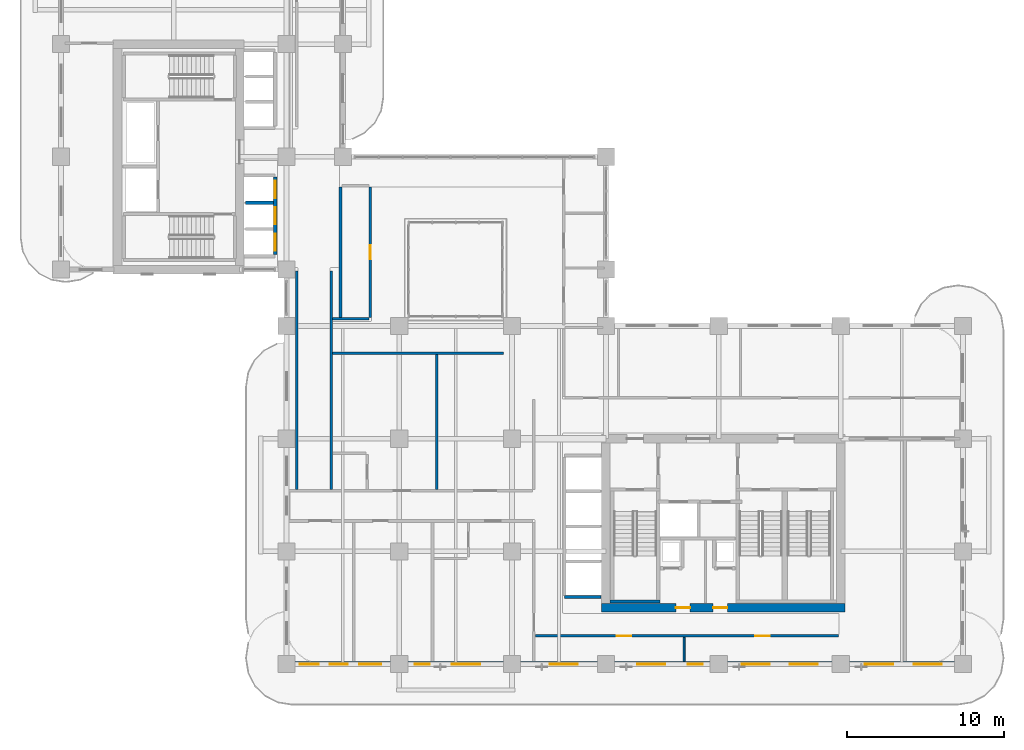
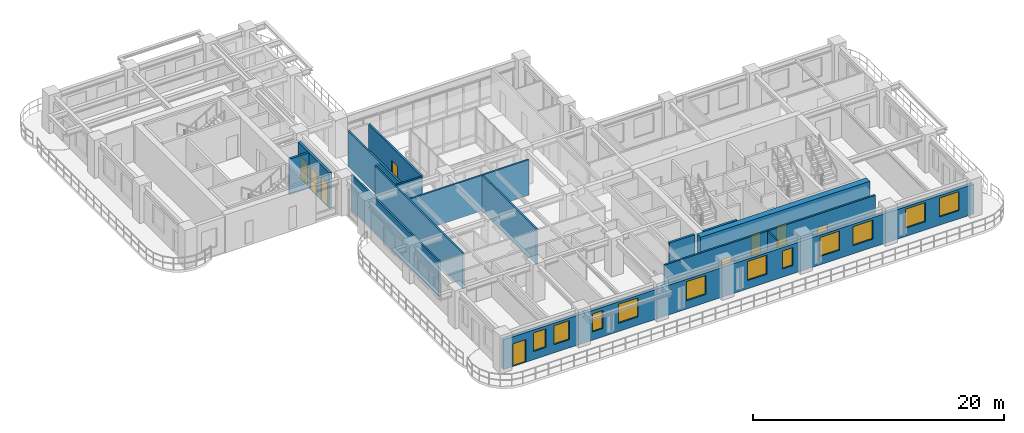
# One storey, part 13 of 22: 15 walls, 11 windows, 9 doors, 20 openings.
"""IFC4 building model written with IfcOpenShell, lengths in metres."""

from ifc_helpers import new_model, si_unit, derived_unit, direction, frame, frame_2d, origin, place, context, subcontext, project, spatial, rectangle, extrude, source, transform, mapped, material, layer, layer_set, type_object, type_shapes, element, fill, save


model = new_model("IFC4")

# Units and contexts
model_context = context("Model", 3, precision=1e-05, world=origin(), true_north=direction((0.0, 1.0)))
body_context = subcontext(model_context, "Body", "Model", "MODEL_VIEW")
ifc_project = project(units=[si_unit("LENGTHUNIT", "METRE"), si_unit("AREAUNIT", "SQUARE_METRE"), si_unit("VOLUMEUNIT", "CUBIC_METRE"), si_unit("PLANEANGLEUNIT", "RADIAN"), si_unit("MASSUNIT", "GRAM", prefix="KILO"), si_unit("THERMODYNAMICTEMPERATUREUNIT", "KELVIN"), si_unit("POWERUNIT", "WATT"), derived_unit("THERMALTRANSMITTANCEUNIT", [(si_unit("POWERUNIT", "WATT"), 1), (si_unit("AREAUNIT", "SQUARE_METRE"), -1), (si_unit("THERMODYNAMICTEMPERATUREUNIT", "KELVIN"), -1)])], contexts=[model_context])

# Site, building, storey
site_placement = place(None, origin())
site = spatial("IfcSite", under=ifc_project, at=site_placement, CompositionType="ELEMENT")
building_placement = place(site_placement, origin())
building = spatial("IfcBuilding", under=site, at=building_placement, Name="Zahravan Archway Hotel and Residences", CompositionType="ELEMENT")
storey_placement = place(building_placement, frame((0.0, 0.0, 99.0)))
storey = spatial("IfcBuildingStorey", under=building, at=storey_placement, Name="L24", CompositionType="ELEMENT", Elevation=99.0)

# Wall, openings, doors
ifc_material_1 = material(Name="Concrete C70/85", Category="concrete")
ifc_layer_1 = layer(ifc_material_1, 0.550048828125, Name="Concrete C70/85", Category="concrete")
ifc_layer_set_1 = layer_set([ifc_layer_1], Name="Concrete C70/85")
wall_type_1 = type_object("IfcWallType", Name="CW-CORE-550", PredefinedType="SHEAR", material=ifc_layer_set_1)
wall_1_placement = place(storey_placement, frame((34.52490234375, 3.60009765625, 0.0), z_axis=(0.0, 0.0, 1.0), x_axis=(1.0, 0.0, 0.0)))
wall_1 = element("IfcWall", 1, at=wall_1_placement, inside=storey, type_object=wall_type_1, Name="L24 Core A Shear S Wall 550 mm", PredefinedType="SHEAR", context=body_context, shape_type="SweptSolid", body=[
    extrude(rectangle(XDim=15.550048828125, YDim=0.550048828125, at=frame_2d((7.77490234375, 0.0))), origin(), (0.0, 0.0, 1.0), 3.699951171875),
])
opening_1_placement = place(wall_1_placement, frame((4.7451171875, 0.0, 0.0)))
opening_1 = element("IfcOpeningElement", 2, at=opening_1_placement, cuts=wall_1, Name="Opening FD-R1", PredefinedType="OPENING", context=body_context, shape_type="SweptSolid", body=[
    extrude(rectangle(XDim=0.89990234375, YDim=2.10009765625, at=frame_2d((0.449951171875, 1.050048828125))), frame((0.0, 0.28515625, 0.0), z_axis=(0.0, -1.0, 0.0), x_axis=(1.0, 0.0, 0.0)), (0.0, 0.0, 1.0), 0.570068359375),
])
opening_2_placement = place(wall_1_placement, frame((7.125, 0.0, 0.0)))
opening_2 = element("IfcOpeningElement", 3, at=opening_2_placement, cuts=wall_1, Name="Opening FD-R1", PredefinedType="OPENING", context=body_context, shape_type="SweptSolid", body=[
    extrude(rectangle(XDim=0.89990234375, YDim=2.10009765625, at=frame_2d((0.449951171875, 1.050048828125))), frame((0.0, 0.28515625, 0.0), z_axis=(0.0, -1.0, 0.0), x_axis=(1.0, 0.0, 0.0)), (0.0, 0.0, 1.0), 0.570068359375),
])
ifc_material_2 = material(Name="Fire-Rated Painted Steel", Category="steel")
door_type_1 = type_object("IfcDoorType", Name="FD-RISER-900", OperationType="NOTDEFINED", PredefinedType="DOOR", material=ifc_material_2)
shared_shape_1 = source(origin(), body_context, "Body", "SweptSolid", [
    extrude(rectangle(XDim=0.89990234375, YDim=2.10009765625, at=frame_2d((0.449951171875, 1.050048828125))), frame((0.0, 0.02490234375, 0.0), z_axis=(0.0, -1.0, 0.0), x_axis=(1.0, 0.0, 0.0)), (0.0, 0.0, 1.0), 0.050048828125),
])
type_shapes(door_type_1, [shared_shape_1])
door_1_placement = place(opening_1_placement, origin())
door_1 = element("IfcDoor", 4, at=door_1_placement, inside=storey, type_object=door_type_1, Name="L24 Fan Room Door", OperationType="SINGLE_SWING_RIGHT", OverallHeight=2.10009765625, OverallWidth=0.89990234375, PredefinedType="DOOR", context=body_context, shape_type="MappedRepresentation", body=[
    mapped(shared_shape_1, transform((0.0, 0.0, 0.0), scale=1.0)),
])
fill(opening_1, door_1)
door_2_placement = place(opening_2_placement, origin())
door_2 = element("IfcDoor", 5, at=door_2_placement, inside=storey, type_object=door_type_1, Name="L24 Sub-Meter Cupboard Door", OperationType="SINGLE_SWING_LEFT", OverallHeight=2.10009765625, OverallWidth=0.89990234375, PredefinedType="DOOR", context=body_context, shape_type="MappedRepresentation", body=[
    mapped(shared_shape_1, transform((0.0, 0.0, 0.0), scale=1.0)),
])
fill(opening_2, door_2)

# Wall, openings, door, windows
ifc_material_3 = material(Name="Agra Buff Sandstone & Insulated Backup", Category="masonry")
ifc_layer_2 = layer(ifc_material_3, 0.320068359375, Name="Agra Buff Sandstone & Insulated Backup", Category="masonry")
ifc_layer_set_2 = layer_set([ifc_layer_2], Name="Agra Buff Sandstone & Insulated Backup")
wall_type_2 = type_object("IfcWallType", Name="EW-SAND-320", PredefinedType="SOLIDWALL", material=ifc_layer_set_2)
wall_2_placement = place(storey_placement, frame((14.39990234375, 0.0, 0.0), z_axis=(0.0, 0.0, 1.0), x_axis=(1.0, 0.0, 0.0)))
wall_2 = element("IfcWall", 6, at=wall_2_placement, inside=storey, type_object=wall_type_2, Name="L24 Exterior Sandstone Wall WA-S", PredefinedType="SOLIDWALL", context=body_context, shape_type="SweptSolid", body=[
    extrude(rectangle(XDim=43.2001953125, YDim=0.320068359375, at=frame_2d((21.60009765625, 0.0))), origin(), (0.0, 0.0, 1.0), 2.885009765625),
])
opening_3_placement = place(wall_2_placement, frame((0.85009765625, 0.0, 0.0)))
opening_3 = element("IfcOpeningElement", 7, at=opening_3_placement, cuts=wall_2, Name="Opening ED-BL1", PredefinedType="OPENING", context=body_context, shape_type="SweptSolid", body=[
    extrude(rectangle(XDim=1.199951171875, YDim=2.199951171875, at=frame_2d((0.60009765625, 1.10009765625))), frame((0.0, 0.169921875, 0.0), z_axis=(0.0, -1.0, 0.0), x_axis=(1.0, 0.0, 0.0)), (0.0, 0.0, 1.0), 0.340087890625),
])
opening_4_placement = place(wall_2_placement, frame((2.74609375, 0.0, 0.800048828125)))
opening_4 = element("IfcOpeningElement", 8, at=opening_4_placement, cuts=wall_2, Name="Opening W-05", PredefinedType="OPENING", context=body_context, shape_type="SweptSolid", body=[
    extrude(rectangle(XDim=1.14990234375, YDim=1.800048828125, at=frame_2d((0.574951171875, 0.89990234375))), frame((0.0, 0.169921875, 0.0), z_axis=(0.0, -1.0, 0.0), x_axis=(1.0, 0.0, 0.0)), (0.0, 0.0, 1.0), 0.340087890625),
])
opening_5_placement = place(wall_2_placement, frame((4.654052734375, 0.0, 0.800048828125)))
opening_5 = element("IfcOpeningElement", 9, at=opening_5_placement, cuts=wall_2, Name="Opening W-03", PredefinedType="OPENING", context=body_context, shape_type="SweptSolid", body=[
    extrude(rectangle(XDim=1.39990234375, YDim=1.85009765625, at=frame_2d((0.699951171875, 0.925048828125))), frame((0.0, 0.169921875, 0.0), z_axis=(0.0, -1.0, 0.0), x_axis=(1.0, 0.0, 0.0)), (0.0, 0.0, 1.0), 0.340087890625),
])
opening_6_placement = place(wall_2_placement, frame((8.180908203125, 0.0, 0.800048828125)))
opening_6 = element("IfcOpeningElement", 10, at=opening_6_placement, cuts=wall_2, Name="Opening W-04", PredefinedType="OPENING", context=body_context, shape_type="SweptSolid", body=[
    extrude(rectangle(XDim=0.949951171875, YDim=1.75, at=frame_2d((0.47509765625, 0.875))), frame((0.0, 0.169921875, 0.0), z_axis=(0.0, -1.0, 0.0), x_axis=(1.0, 0.0, 0.0)), (0.0, 0.0, 1.0), 0.340087890625),
])
opening_7_placement = place(wall_2_placement, frame((10.56396484375, 0.0, 0.800048828125)))
opening_7 = element("IfcOpeningElement", 11, at=opening_7_placement, cuts=wall_2, Name="Opening W-02", PredefinedType="OPENING", context=body_context, shape_type="SweptSolid", body=[
    extrude(rectangle(XDim=1.800048828125, YDim=1.85009765625, at=frame_2d((0.89990234375, 0.925048828125))), frame((0.0, 0.169921875, 0.0), z_axis=(0.0, -1.0, 0.0), x_axis=(1.0, 0.0, 0.0)), (0.0, 0.0, 1.0), 0.340087890625),
])
opening_8_placement = place(wall_2_placement, frame((16.803955078125, 0.0, 0.800048828125)))
opening_8 = element("IfcOpeningElement", 12, at=opening_8_placement, cuts=wall_2, Name="Opening W-02", PredefinedType="OPENING", context=body_context, shape_type="SweptSolid", body=[
    extrude(rectangle(XDim=1.800048828125, YDim=1.85009765625, at=frame_2d((0.89990234375, 0.925048828125))), frame((0.0, 0.169921875, 0.0), z_axis=(0.0, -1.0, 0.0), x_axis=(1.0, 0.0, 0.0)), (0.0, 0.0, 1.0), 0.340087890625),
])
opening_9_placement = place(wall_2_placement, frame((22.39599609375, 0.0, 0.800048828125)))
opening_9 = element("IfcOpeningElement", 13, at=opening_9_placement, cuts=wall_2, Name="Opening W-02", PredefinedType="OPENING", context=body_context, shape_type="SweptSolid", body=[
    extrude(rectangle(XDim=1.800048828125, YDim=1.85009765625, at=frame_2d((0.89990234375, 0.925048828125))), frame((0.0, 0.169921875, 0.0), z_axis=(0.0, -1.0, 0.0), x_axis=(1.0, 0.0, 0.0)), (0.0, 0.0, 1.0), 0.340087890625),
])
opening_10_placement = place(wall_2_placement, frame((25.62890625, 0.0, 0.800048828125)))
opening_10 = element("IfcOpeningElement", 14, at=opening_10_placement, cuts=wall_2, Name="Opening W-04", PredefinedType="OPENING", context=body_context, shape_type="SweptSolid", body=[
    extrude(rectangle(XDim=0.949951171875, YDim=1.75, at=frame_2d((0.47509765625, 0.875))), frame((0.0, 0.169921875, 0.0), z_axis=(0.0, -1.0, 0.0), x_axis=(1.0, 0.0, 0.0)), (0.0, 0.0, 1.0), 0.340087890625),
])
opening_11_placement = place(wall_2_placement, frame((29.074951171875, 0.0, 0.800048828125)))
opening_11 = element("IfcOpeningElement", 15, at=opening_11_placement, cuts=wall_2, Name="Opening W-02", PredefinedType="OPENING", context=body_context, shape_type="SweptSolid", body=[
    extrude(rectangle(XDim=1.800048828125, YDim=1.85009765625, at=frame_2d((0.89990234375, 0.925048828125))), frame((0.0, 0.169921875, 0.0), z_axis=(0.0, -1.0, 0.0), x_axis=(1.0, 0.0, 0.0)), (0.0, 0.0, 1.0), 0.340087890625),
])
opening_12_placement = place(wall_2_placement, frame((32.125, 0.0, 0.800048828125)))
opening_12 = element("IfcOpeningElement", 16, at=opening_12_placement, cuts=wall_2, Name="Opening W-02", PredefinedType="OPENING", context=body_context, shape_type="SweptSolid", body=[
    extrude(rectangle(XDim=1.800048828125, YDim=1.85009765625, at=frame_2d((0.89990234375, 0.925048828125))), frame((0.0, 0.169921875, 0.0), z_axis=(0.0, -1.0, 0.0), x_axis=(1.0, 0.0, 0.0)), (0.0, 0.0, 1.0), 0.340087890625),
])
opening_13_placement = place(wall_2_placement, frame((36.946044921875, 0.0, 0.800048828125)))
opening_13 = element("IfcOpeningElement", 17, at=opening_13_placement, cuts=wall_2, Name="Opening W-02", PredefinedType="OPENING", context=body_context, shape_type="SweptSolid", body=[
    extrude(rectangle(XDim=1.800048828125, YDim=1.85009765625, at=frame_2d((0.89990234375, 0.925048828125))), frame((0.0, 0.169921875, 0.0), z_axis=(0.0, -1.0, 0.0), x_axis=(1.0, 0.0, 0.0)), (0.0, 0.0, 1.0), 0.340087890625),
])
opening_14_placement = place(wall_2_placement, frame((40.053955078125, 0.0, 0.800048828125)))
opening_14 = element("IfcOpeningElement", 18, at=opening_14_placement, cuts=wall_2, Name="Opening W-02", PredefinedType="OPENING", context=body_context, shape_type="SweptSolid", body=[
    extrude(rectangle(XDim=1.800048828125, YDim=1.85009765625, at=frame_2d((0.89990234375, 0.925048828125))), frame((0.0, 0.169921875, 0.0), z_axis=(0.0, -1.0, 0.0), x_axis=(1.0, 0.0, 0.0)), (0.0, 0.0, 1.0), 0.340087890625),
])
ifc_material_4 = material(Name="Bronze-Anodized Glazed Aluminium", Category="aluminium")
door_type_2 = type_object("IfcDoorType", Name="ED-BALC-1200", OperationType="SLIDING_TO_LEFT", PredefinedType="DOOR", material=ifc_material_4)
shared_shape_2 = source(origin(), body_context, "Body", "SweptSolid", [
    extrude(rectangle(XDim=1.199951171875, YDim=2.199951171875, at=frame_2d((0.60009765625, 1.10009765625))), frame((0.0, 0.02490234375, 0.0), z_axis=(0.0, -1.0, 0.0), x_axis=(1.0, 0.0, 0.0)), (0.0, 0.0, 1.0), 0.050048828125),
])
type_shapes(door_type_2, [shared_shape_2])
door_3_placement = place(opening_3_placement, origin())
door_3 = element("IfcDoor", 19, at=door_3_placement, inside=storey, type_object=door_type_2, Name="L24 Outdoor Access Sliding Door (SLB-BAL-L24-SA)", OperationType="SLIDING_TO_LEFT", OverallHeight=2.199951171875, OverallWidth=1.199951171875, PredefinedType="DOOR", context=body_context, shape_type="MappedRepresentation", body=[
    mapped(shared_shape_2, transform((0.0, 0.0, 0.0), scale=1.0)),
])
fill(opening_3, door_3)
ifc_material_5 = material(Name="Bronze-Anodized Thermal-Break Aluminium & Low-E Glass", Category="aluminium")
window_type_1 = type_object("IfcWindowType", Name="WIN-TWR-1400", PartitioningType="SINGLE_PANEL", PredefinedType="WINDOW", material=ifc_material_5)
shared_shape_3 = source(origin(), body_context, "Body", "SweptSolid", [
    extrude(rectangle(XDim=1.39990234375, YDim=1.85009765625, at=frame_2d((0.699951171875, 0.925048828125))), frame((0.0, 0.030029296875, 0.0), z_axis=(0.0, -1.0, 0.0), x_axis=(1.0, 0.0, 0.0)), (0.0, 0.0, 1.0), 0.06005859375),
])
type_shapes(window_type_1, [shared_shape_3])
window_1_placement = place(opening_5_placement, origin())
window_1 = element("IfcWindow", 20, at=window_1_placement, inside=storey, type_object=window_type_1, Name="L24 Loggia Window 02", OverallHeight=1.85009765625, OverallWidth=1.39990234375, PartitioningType="SINGLE_PANEL", PredefinedType="WINDOW", context=body_context, shape_type="MappedRepresentation", body=[
    mapped(shared_shape_3, transform((0.0, 0.0, 0.0), scale=1.0)),
])
fill(opening_5, window_1)
window_type_2 = type_object("IfcWindowType", Name="WIN-NAR-950", PartitioningType="SINGLE_PANEL", PredefinedType="WINDOW", material=ifc_material_5)
shared_shape_4 = source(origin(), body_context, "Body", "SweptSolid", [
    extrude(rectangle(XDim=0.949951171875, YDim=1.75, at=frame_2d((0.47509765625, 0.875))), frame((0.0, 0.030029296875, 0.0), z_axis=(0.0, -1.0, 0.0), x_axis=(1.0, 0.0, 0.0)), (0.0, 0.0, 1.0), 0.06005859375),
])
type_shapes(window_type_2, [shared_shape_4])
window_2_placement = place(opening_6_placement, origin())
window_2 = element("IfcWindow", 21, at=window_2_placement, inside=storey, type_object=window_type_2, Name="L24 Loggia Window 03", OverallHeight=1.75, OverallWidth=0.949951171875, PartitioningType="SINGLE_PANEL", PredefinedType="WINDOW", context=body_context, shape_type="MappedRepresentation", body=[
    mapped(shared_shape_4, transform((0.0, 0.0, 0.0), scale=1.0)),
])
fill(opening_6, window_2)
window_3_placement = place(opening_10_placement, origin())
window_3 = element("IfcWindow", 22, at=window_3_placement, inside=storey, type_object=window_type_2, Name="L24 Loggia Window 07", OverallHeight=1.75, OverallWidth=0.949951171875, PartitioningType="SINGLE_PANEL", PredefinedType="WINDOW", context=body_context, shape_type="MappedRepresentation", body=[
    mapped(shared_shape_4, transform((0.0, 0.0, 0.0), scale=1.0)),
])
fill(opening_10, window_3)
window_type_3 = type_object("IfcWindowType", Name="WIN-TWR-1800", PartitioningType="DOUBLE_PANEL_VERTICAL", PredefinedType="WINDOW", material=ifc_material_5)
shared_shape_5 = source(origin(), body_context, "Body", "SweptSolid", [
    extrude(rectangle(XDim=1.800048828125, YDim=1.85009765625, at=frame_2d((0.89990234375, 0.925048828125))), frame((0.0, 0.030029296875, 0.0), z_axis=(0.0, -1.0, 0.0), x_axis=(1.0, 0.0, 0.0)), (0.0, 0.0, 1.0), 0.06005859375),
])
type_shapes(window_type_3, [shared_shape_5])
window_4_placement = place(opening_7_placement, origin())
window_4 = element("IfcWindow", 23, at=window_4_placement, inside=storey, type_object=window_type_3, Name="L24 Loggia Window 04", OverallHeight=1.85009765625, OverallWidth=1.800048828125, PartitioningType="DOUBLE_PANEL_VERTICAL", PredefinedType="WINDOW", context=body_context, shape_type="MappedRepresentation", body=[
    mapped(shared_shape_5, transform((0.0, 0.0, 0.0), scale=1.0)),
])
fill(opening_7, window_4)
window_5_placement = place(opening_8_placement, origin())
window_5 = element("IfcWindow", 24, at=window_5_placement, inside=storey, type_object=window_type_3, Name="L24 Loggia Window 05", OverallHeight=1.85009765625, OverallWidth=1.800048828125, PartitioningType="DOUBLE_PANEL_VERTICAL", PredefinedType="WINDOW", context=body_context, shape_type="MappedRepresentation", body=[
    mapped(shared_shape_5, transform((0.0, 0.0, 0.0), scale=1.0)),
])
fill(opening_8, window_5)
window_6_placement = place(opening_9_placement, origin())
window_6 = element("IfcWindow", 25, at=window_6_placement, inside=storey, type_object=window_type_3, Name="L24 Loggia Window 06", OverallHeight=1.85009765625, OverallWidth=1.800048828125, PartitioningType="DOUBLE_PANEL_VERTICAL", PredefinedType="WINDOW", context=body_context, shape_type="MappedRepresentation", body=[
    mapped(shared_shape_5, transform((0.0, 0.0, 0.0), scale=1.0)),
])
fill(opening_9, window_6)
window_7_placement = place(opening_11_placement, origin())
window_7 = element("IfcWindow", 26, at=window_7_placement, inside=storey, type_object=window_type_3, Name="L24 Loggia Window 08", OverallHeight=1.85009765625, OverallWidth=1.800048828125, PartitioningType="DOUBLE_PANEL_VERTICAL", PredefinedType="WINDOW", context=body_context, shape_type="MappedRepresentation", body=[
    mapped(shared_shape_5, transform((0.0, 0.0, 0.0), scale=1.0)),
])
fill(opening_11, window_7)
window_8_placement = place(opening_12_placement, origin())
window_8 = element("IfcWindow", 27, at=window_8_placement, inside=storey, type_object=window_type_3, Name="L24 Loggia Window 09", OverallHeight=1.85009765625, OverallWidth=1.800048828125, PartitioningType="DOUBLE_PANEL_VERTICAL", PredefinedType="WINDOW", context=body_context, shape_type="MappedRepresentation", body=[
    mapped(shared_shape_5, transform((0.0, 0.0, 0.0), scale=1.0)),
])
fill(opening_12, window_8)
window_9_placement = place(opening_13_placement, origin())
window_9 = element("IfcWindow", 28, at=window_9_placement, inside=storey, type_object=window_type_3, Name="L24 Loggia Window 10", OverallHeight=1.85009765625, OverallWidth=1.800048828125, PartitioningType="DOUBLE_PANEL_VERTICAL", PredefinedType="WINDOW", context=body_context, shape_type="MappedRepresentation", body=[
    mapped(shared_shape_5, transform((0.0, 0.0, 0.0), scale=1.0)),
])
fill(opening_13, window_9)
window_10_placement = place(opening_14_placement, origin())
window_10 = element("IfcWindow", 29, at=window_10_placement, inside=storey, type_object=window_type_3, Name="L24 Loggia Window 11", OverallHeight=1.85009765625, OverallWidth=1.800048828125, PartitioningType="DOUBLE_PANEL_VERTICAL", PredefinedType="WINDOW", context=body_context, shape_type="MappedRepresentation", body=[
    mapped(shared_shape_5, transform((0.0, 0.0, 0.0), scale=1.0)),
])
fill(opening_14, window_10)
window_type_4 = type_object("IfcWindowType", Name="WIN-TWR-1150", PartitioningType="SINGLE_PANEL", PredefinedType="WINDOW", material=ifc_material_5)
shared_shape_6 = source(origin(), body_context, "Body", "SweptSolid", [
    extrude(rectangle(XDim=1.14990234375, YDim=1.800048828125, at=frame_2d((0.574951171875, 0.89990234375))), frame((0.0, 0.030029296875, 0.0), z_axis=(0.0, -1.0, 0.0), x_axis=(1.0, 0.0, 0.0)), (0.0, 0.0, 1.0), 0.06005859375),
])
type_shapes(window_type_4, [shared_shape_6])
window_11_placement = place(opening_4_placement, origin())
window_11 = element("IfcWindow", 30, at=window_11_placement, inside=storey, type_object=window_type_4, Name="L24 Loggia Window 01", OverallHeight=1.800048828125, OverallWidth=1.14990234375, PartitioningType="SINGLE_PANEL", PredefinedType="WINDOW", context=body_context, shape_type="MappedRepresentation", body=[
    mapped(shared_shape_6, transform((0.0, 0.0, 0.0), scale=1.0)),
])
fill(opening_4, window_11)

# Wall, openings, doors
ifc_material_6 = material(Name="Fire-Rated Gypsum & Concrete Block", Category="concrete")
ifc_layer_3 = layer(ifc_material_6, 0.159912109375, Name="Fire-Rated Gypsum & Concrete Block", Category="concrete")
ifc_layer_set_3 = layer_set([ifc_layer_3], Name="Fire-Rated Gypsum & Concrete Block")
wall_type_3 = type_object("IfcWallType", Name="PW-CORR-160", PredefinedType="PARTITIONING", material=ifc_layer_set_3)
wall_3_placement = place(storey_placement, frame((30.2900390625, 1.800048828125, 0.0), z_axis=(0.0, 0.0, 1.0), x_axis=(1.0, 0.0, 0.0)))
wall_3 = element("IfcWall", 31, at=wall_3_placement, inside=storey, type_object=wall_type_3, Name="L24 Partition WA-SRS", PredefinedType="PARTITIONING", context=body_context, shape_type="SweptSolid", body=[
    extrude(rectangle(XDim=19.369873046875, YDim=0.159912109375, at=frame_2d((9.68505859375, 0.0))), origin(), (0.0, 0.0, 1.0), 3.449951171875),
])
opening_15_placement = place(wall_3_placement, frame((5.213134765625, 0.0, 0.0)))
opening_15 = element("IfcOpeningElement", 32, at=opening_15_placement, cuts=wall_3, Name="Opening D-I2", PredefinedType="OPENING", context=body_context, shape_type="SweptSolid", body=[
    extrude(rectangle(XDim=0.89990234375, YDim=2.14990234375, at=frame_2d((0.449951171875, 1.074951171875))), frame((0.0, 0.08984375, 0.0), z_axis=(0.0, -1.0, 0.0), x_axis=(1.0, 0.0, 0.0)), (0.0, 0.0, 1.0), 0.179931640625),
])
opening_16_placement = place(wall_3_placement, frame((14.06005859375, 0.0, 0.0)))
opening_16 = element("IfcOpeningElement", 33, at=opening_16_placement, cuts=wall_3, Name="Opening D-I2", PredefinedType="OPENING", context=body_context, shape_type="SweptSolid", body=[
    extrude(rectangle(XDim=0.89990234375, YDim=2.14990234375, at=frame_2d((0.449951171875, 1.074951171875))), frame((0.0, 0.08984375, 0.0), z_axis=(0.0, -1.0, 0.0), x_axis=(1.0, 0.0, 0.0)), (0.0, 0.0, 1.0), 0.179931640625),
])
ifc_material_7 = material(Name="Hardwood Veneer Timber", Category="wood")
door_type_3 = type_object("IfcDoorType", Name="ID-INT-900", OperationType="NOTDEFINED", PredefinedType="DOOR", material=ifc_material_7)
shared_shape_7 = source(origin(), body_context, "Body", "SweptSolid", [
    extrude(rectangle(XDim=0.89990234375, YDim=2.14990234375, at=frame_2d((0.449951171875, 1.074951171875))), frame((0.0, 0.02490234375, 0.0), z_axis=(0.0, -1.0, 0.0), x_axis=(1.0, 0.0, 0.0)), (0.0, 0.0, 1.0), 0.050048828125),
])
type_shapes(door_type_3, [shared_shape_7])
door_4_placement = place(opening_15_placement, origin())
door_4 = element("IfcDoor", 34, at=door_4_placement, inside=storey, type_object=door_type_3, Name="L24 South Study Door", OperationType="SINGLE_SWING_RIGHT", OverallHeight=2.14990234375, OverallWidth=0.89990234375, PredefinedType="DOOR", context=body_context, shape_type="MappedRepresentation", body=[
    mapped(shared_shape_7, transform((0.0, 0.0, 0.0), scale=1.0)),
])
fill(opening_15, door_4)
door_5_placement = place(opening_16_placement, origin())
door_5 = element("IfcDoor", 35, at=door_5_placement, inside=storey, type_object=door_type_3, Name="L24 South Pantry Door", OperationType="SINGLE_SWING_LEFT", OverallHeight=2.14990234375, OverallWidth=0.89990234375, PredefinedType="DOOR", context=body_context, shape_type="MappedRepresentation", body=[
    mapped(shared_shape_7, transform((0.0, 0.0, 0.0), scale=1.0)),
])
fill(opening_16, door_5)

# Walls
for number, where, z_axis, x_axis, name in (
    (36, (15.050048828125, 11.159912109375, 0.0), (0.0, 0.0, 1.0), (0.0, 1.0, 0.0), "L24 Partition LNK-W"),
    (37, (17.25, 11.159912109375, 0.0), (0.0, 0.0, 1.0), (0.0, 1.0, 0.0), "L24 Partition LNK-E"),
):
    element("IfcWall", number, at=place(storey_placement, frame(where, z_axis=z_axis, x_axis=x_axis)), inside=storey, type_object=wall_type_3, Name=name, PredefinedType="PARTITIONING", context=body_context, shape_type="SweptSolid", body=[
        extrude(rectangle(XDim=13.9501953125, YDim=0.159912109375, at=frame_2d((6.97509765625, 0.0))), origin(), (0.0, 0.0, 1.0), 3.449951171875),
    ])
wall_4_placement = place(storey_placement, frame((17.340087890625, 19.85009765625, 0.0), z_axis=(0.0, 0.0, 1.0), x_axis=(1.0, 0.0, 0.0)))
element("IfcWall", 38, at=wall_4_placement, inside=storey, type_object=wall_type_3, Name="L24 Partition ATR-S", PredefinedType="PARTITIONING", context=body_context, shape_type="SweptSolid", body=[
    extrude(rectangle(XDim=10.919921875, YDim=0.159912109375, at=frame_2d((5.4599609375, 0.0))), origin(), (0.0, 0.0, 1.0), 3.449951171875),
])
ifc_material_8 = material(Name="Acoustic Stud Partition")
ifc_layer_4 = layer(ifc_material_8, 0.125, Name="Acoustic Stud Partition")
ifc_layer_set_4 = layer_set([ifc_layer_4], Name="Acoustic Stud Partition")
wall_type_4 = type_object("IfcWallType", Name="PW-INT-125", PredefinedType="PARTITIONING", material=ifc_layer_set_4)
wall_5_placement = place(storey_placement, frame((39.800048828125, 0.16796875, 0.0), z_axis=(0.0, 0.0, 1.0), x_axis=(0.0, 1.0, 0.0)))
element("IfcWall", 39, at=wall_5_placement, inside=storey, type_object=wall_type_4, Name="L24 Partition S-DIV1", PredefinedType="PARTITIONING", context=body_context, shape_type="SweptSolid", body=[
    extrude(rectangle(XDim=1.5419921875, YDim=0.125, at=frame_2d((0.77099609375, 0.0))), origin(), (0.0, 0.0, 1.0), 3.449951171875),
])
ifc_layer_5 = layer(ifc_material_6, 0.199951171875, Name="Fire-Rated Gypsum & Concrete Block", Category="concrete")
ifc_layer_set_5 = layer_set([ifc_layer_5], Name="Fire-Rated Gypsum & Concrete Block")
wall_type_5 = type_object("IfcWallType", Name="PW-SHAFT-200", PredefinedType="PARTITIONING", material=ifc_layer_set_5)
wall_6_placement = place(storey_placement, frame((32.159912109375, 4.280029296875, 0.0), z_axis=(0.0, 0.0, 1.0), x_axis=(1.0, 0.0, 0.0)))
element("IfcWall", 40, at=wall_6_placement, inside=storey, type_object=wall_type_5, Name="L24 Partition B3-S", PredefinedType="PARTITIONING", context=body_context, shape_type="SweptSolid", body=[
    extrude(rectangle(XDim=2.335205078125, YDim=0.199951171875, at=frame_2d((1.16748046875, 0.0))), origin(), (0.0, 0.0, 1.0), 3.449951171875),
])

# Wall, openings, doors
wall_7_placement = place(storey_placement, frame((13.679931640625, 26.159912109375, 0.0), z_axis=(0.0, 0.0, 1.0), x_axis=(0.0, 1.0, 0.0)))
wall_7 = element("IfcWall", 41, at=wall_7_placement, inside=storey, type_object=wall_type_5, Name="L24 Partition B1-E", PredefinedType="PARTITIONING", context=body_context, shape_type="SweptSolid", body=[
    extrude(rectangle(XDim=4.940185546875, YDim=0.199951171875, at=frame_2d((2.47021484375, 0.0))), origin(), (0.0, 0.0, 1.0), 3.449951171875),
])
opening_17_placement = place(wall_7_placement, frame((0.239990234375, 0.0, 0.0)))
opening_17 = element("IfcOpeningElement", 42, at=opening_17_placement, cuts=wall_7, Name="Opening LD", PredefinedType="OPENING", context=body_context, shape_type="SweptSolid", body=[
    extrude(rectangle(XDim=1.10009765625, YDim=2.199951171875, at=frame_2d((0.550048828125, 1.10009765625))), frame((0.0, 0.10986328125, 0.0), z_axis=(0.0, -1.0, 0.0), x_axis=(1.0, 0.0, 0.0)), (0.0, 0.0, 1.0), 0.219970703125),
])
opening_18_placement = place(wall_7_placement, frame((1.919921875, 0.0, 0.0)))
opening_18 = element("IfcOpeningElement", 43, at=opening_18_placement, cuts=wall_7, Name="Opening LD", PredefinedType="OPENING", context=body_context, shape_type="SweptSolid", body=[
    extrude(rectangle(XDim=1.10009765625, YDim=2.199951171875, at=frame_2d((0.550048828125, 1.10009765625))), frame((0.0, 0.10986328125, 0.0), z_axis=(0.0, -1.0, 0.0), x_axis=(1.0, 0.0, 0.0)), (0.0, 0.0, 1.0), 0.219970703125),
])
opening_19_placement = place(wall_7_placement, frame((3.60009765625, 0.0, 0.0)))
opening_19 = element("IfcOpeningElement", 44, at=opening_19_placement, cuts=wall_7, Name="Opening LD", PredefinedType="OPENING", context=body_context, shape_type="SweptSolid", body=[
    extrude(rectangle(XDim=1.10009765625, YDim=2.199951171875, at=frame_2d((0.550048828125, 1.10009765625))), frame((0.0, 0.10986328125, 0.0), z_axis=(0.0, -1.0, 0.0), x_axis=(1.0, 0.0, 0.0)), (0.0, 0.0, 1.0), 0.219970703125),
])
ifc_material_9 = material(Name="Brushed Stainless Steel", Category="steel")
door_type_4 = type_object("IfcDoorType", Name="DR-LIFT-LD", OperationType="SLIDING_TO_LEFT", PredefinedType="DOOR", material=ifc_material_9)
shared_shape_8 = source(origin(), body_context, "Body", "SweptSolid", [
    extrude(rectangle(XDim=1.10009765625, YDim=2.199951171875, at=frame_2d((0.550048828125, 1.10009765625))), frame((0.0, 0.02490234375, 0.0), z_axis=(0.0, -1.0, 0.0), x_axis=(1.0, 0.0, 0.0)), (0.0, 0.0, 1.0), 0.050048828125),
])
type_shapes(door_type_4, [shared_shape_8])
door_6_placement = place(opening_17_placement, origin())
door_6 = element("IfcDoor", 45, at=door_6_placement, inside=storey, type_object=door_type_4, Name="L24 Lift LP-1 Sliding Landing Door", OperationType="SLIDING_TO_LEFT", OverallHeight=2.199951171875, OverallWidth=1.10009765625, PredefinedType="DOOR", context=body_context, shape_type="MappedRepresentation", body=[
    mapped(shared_shape_8, transform((0.0, 0.0, 0.0), scale=1.0)),
])
fill(opening_17, door_6)
door_7_placement = place(opening_18_placement, origin())
door_7 = element("IfcDoor", 46, at=door_7_placement, inside=storey, type_object=door_type_4, Name="L24 Lift LP-2 Sliding Landing Door", OperationType="SLIDING_TO_LEFT", OverallHeight=2.199951171875, OverallWidth=1.10009765625, PredefinedType="DOOR", context=body_context, shape_type="MappedRepresentation", body=[
    mapped(shared_shape_8, transform((0.0, 0.0, 0.0), scale=1.0)),
])
fill(opening_18, door_7)
door_8_placement = place(opening_19_placement, origin())
door_8 = element("IfcDoor", 47, at=door_8_placement, inside=storey, type_object=door_type_4, Name="L24 Lift LP-3 Sliding Landing Door", OperationType="SLIDING_TO_LEFT", OverallHeight=2.199951171875, OverallWidth=1.10009765625, PredefinedType="DOOR", context=body_context, shape_type="MappedRepresentation", body=[
    mapped(shared_shape_8, transform((0.0, 0.0, 0.0), scale=1.0)),
])
fill(opening_19, door_8)

# Walls
wall_8_placement = place(storey_placement, frame((11.784912109375, 29.469970703125, 0.0), z_axis=(0.0, 0.0, 1.0), x_axis=(1.0, 0.0, 0.0)))
element("IfcWall", 48, at=wall_8_placement, inside=storey, type_object=wall_type_5, Name="L24 Partition B1-D", PredefinedType="PARTITIONING", context=body_context, shape_type="SweptSolid", body=[
    extrude(rectangle(XDim=1.78515625, YDim=0.199951171875, at=frame_2d((0.892578125, 0.0))), origin(), (0.0, 0.0, 1.0), 3.449951171875),
])
ifc_layer_6 = layer(ifc_material_8, 0.169921875, Name="Acoustic Stud Partition")
ifc_layer_set_6 = layer_set([ifc_layer_6], Name="Acoustic Stud Partition")
wall_type_6 = type_object("IfcWallType", Name="PW-UNIT-170", PredefinedType="PARTITIONING", material=ifc_layer_set_6)
wall_9_placement = place(storey_placement, frame((17.340087890625, 22.050048828125, 0.0), z_axis=(0.0, 0.0, 1.0), x_axis=(1.0, 0.0, 0.0)))
element("IfcWall", 49, at=wall_9_placement, inside=storey, type_object=wall_type_6, Name="L24 Partition ATR-WLS", PredefinedType="PARTITIONING", context=body_context, shape_type="SweptSolid", body=[
    extrude(rectangle(XDim=2.31982421875, YDim=0.169921875, at=frame_2d((1.159912109375, 0.0))), origin(), (0.0, 0.0, 1.0), 3.449951171875),
])
wall_10_placement = place(storey_placement, frame((17.85009765625, 22.139892578125, 0.0), z_axis=(0.0, 0.0, 1.0), x_axis=(0.0, 1.0, 0.0)))
element("IfcWall", 50, at=wall_10_placement, inside=storey, type_object=wall_type_6, Name="L24 Partition ATR-WLW", PredefinedType="PARTITIONING", context=body_context, shape_type="SweptSolid", body=[
    extrude(rectangle(XDim=8.320068359375, YDim=0.169921875, at=frame_2d((4.16015625, 0.0))), origin(), (0.0, 0.0, 1.0), 3.449951171875),
])

# Wall, opening, door
wall_11_placement = place(storey_placement, frame((19.75, 22.139892578125, 0.0), z_axis=(0.0, 0.0, 1.0), x_axis=(0.0, 1.0, 0.0)))
wall_11 = element("IfcWall", 51, at=wall_11_placement, inside=storey, type_object=wall_type_6, Name="L24 Partition ATR-WL", PredefinedType="PARTITIONING", context=body_context, shape_type="SweptSolid", body=[
    extrude(rectangle(XDim=8.320068359375, YDim=0.169921875, at=frame_2d((4.16015625, 0.0))), origin(), (0.0, 0.0, 1.0), 3.449951171875),
])
opening_20_placement = place(wall_11_placement, frame((3.7099609375, 0.0, 0.0)))
opening_20 = element("IfcOpeningElement", 52, at=opening_20_placement, cuts=wall_11, Name="Opening D-I2", PredefinedType="OPENING", context=body_context, shape_type="SweptSolid", body=[
    extrude(rectangle(XDim=0.89990234375, YDim=2.14990234375, at=frame_2d((0.449951171875, 1.074951171875))), frame((0.0, 0.094970703125, 0.0), z_axis=(0.0, -1.0, 0.0), x_axis=(1.0, 0.0, 0.0)), (0.0, 0.0, 1.0), 0.18994140625),
])
door_9_placement = place(opening_20_placement, origin())
door_9 = element("IfcDoor", 53, at=door_9_placement, inside=storey, type_object=door_type_3, Name="L24 Atrium West Alcove Door", OperationType="SINGLE_SWING_RIGHT", OverallHeight=2.14990234375, OverallWidth=0.89990234375, PredefinedType="DOOR", context=body_context, shape_type="MappedRepresentation", body=[
    mapped(shared_shape_7, transform((0.0, 0.0, 0.0), scale=1.0)),
])
fill(opening_20, door_9)

# Walls
wall_12_placement = place(storey_placement, frame((24.0, 11.159912109375, 0.0), z_axis=(0.0, 0.0, 1.0), x_axis=(0.0, 1.0, 0.0)))
element("IfcWall", 54, at=wall_12_placement, inside=storey, type_object=wall_type_6, Name="L24 Partition ATN-3", PredefinedType="PARTITIONING", context=body_context, shape_type="SweptSolid", body=[
    extrude(rectangle(XDim=8.60009765625, YDim=0.169921875, at=frame_2d((4.300048828125, 0.0))), origin(), (0.0, 0.0, 1.0), 3.449951171875),
])
ifc_material_10 = material(Name="Concrete C50/60", Category="concrete")
ifc_layer_7 = layer(ifc_material_10, 0.199951171875, Name="Concrete C50/60", Category="concrete")
ifc_layer_set_7 = layer_set([ifc_layer_7], Name="Concrete C50/60")
wall_type_7 = type_object("IfcWallType", Name="SW-STAIR-200", PredefinedType="SHEAR", material=ifc_layer_set_7)
wall_13_placement = place(storey_placement, frame((35.074951171875, 4.0, 0.0), z_axis=(0.0, 0.0, 1.0), x_axis=(1.0, 0.0, 0.0)))
element("IfcWall", 55, at=wall_13_placement, inside=storey, type_object=wall_type_7, Name="L24 Stairwell RC Wall CA-SA1S", PredefinedType="SHEAR", context=body_context, shape_type="SweptSolid", body=[
    extrude(rectangle(XDim=3.1650390625, YDim=0.199951171875, at=frame_2d((1.58251953125, 0.0))), origin(), (0.0, 0.0, 1.0), 3.699951171875),
])

save(model, "model.ifc")
